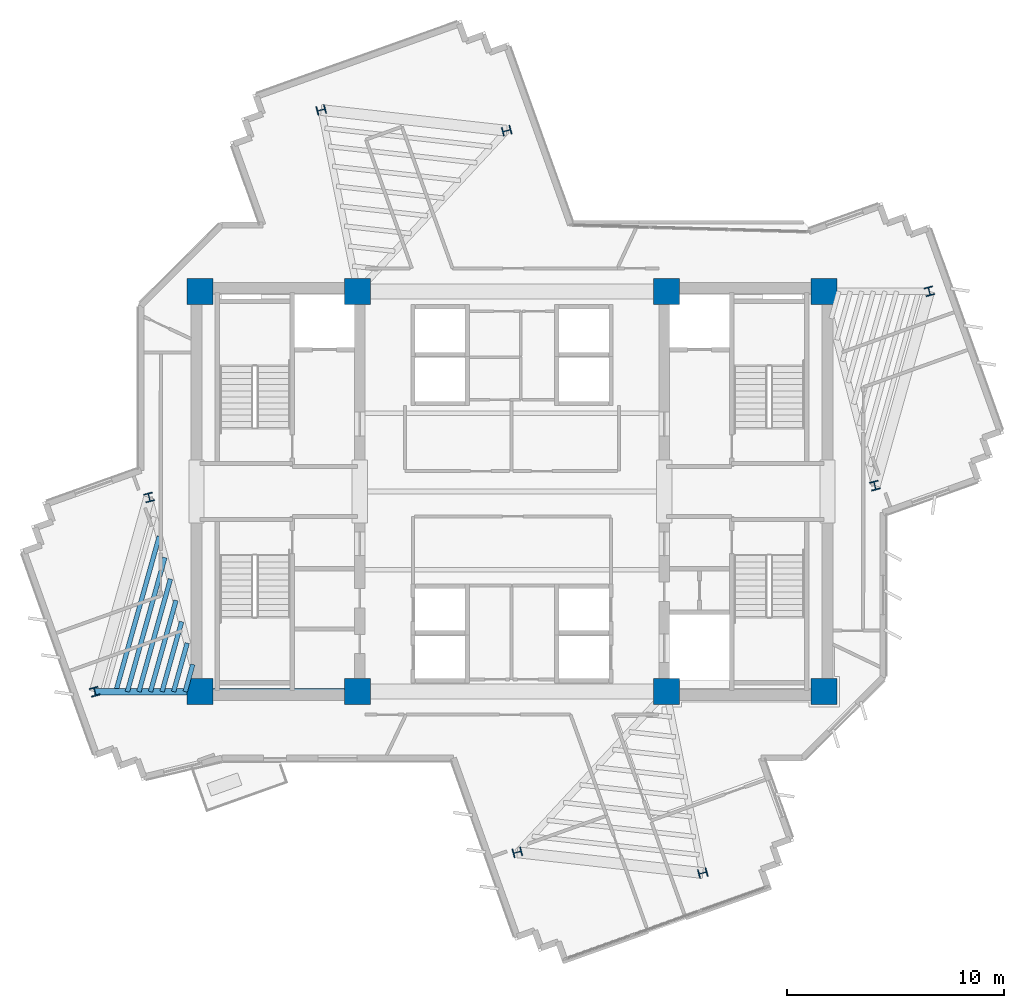
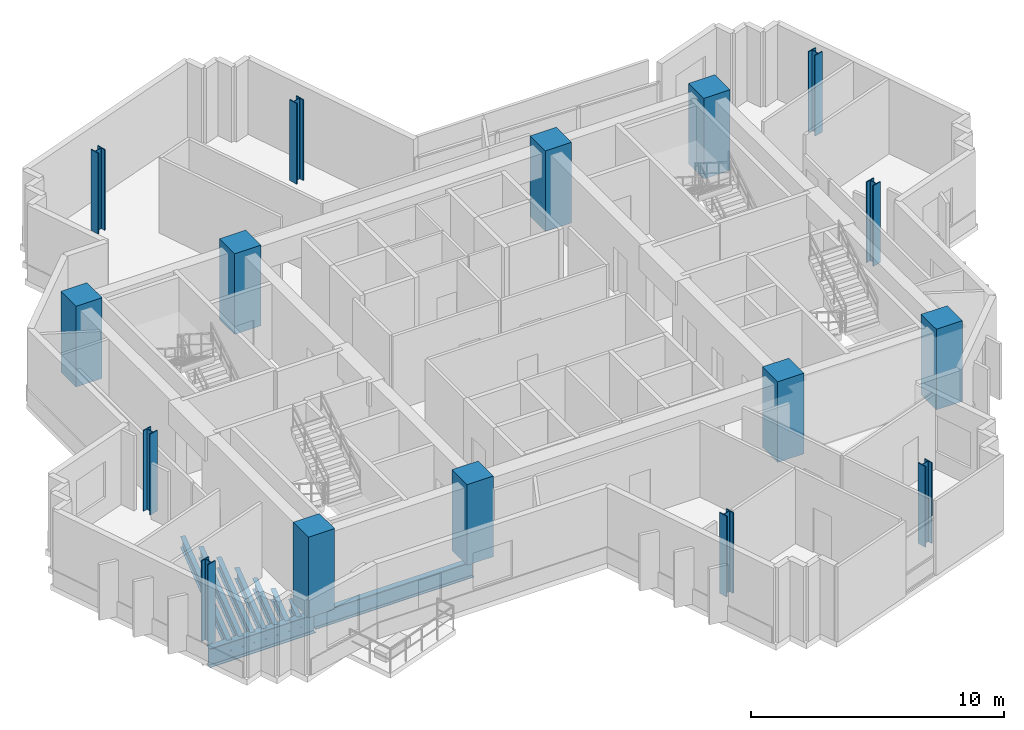
# One storey, part 1 of 13: 16 columns, 9 beams.
"""IFC4 building model written with IfcOpenShell, lengths in metres."""

from ifc_helpers import new_model, si_unit, direction, frame, origin, origin_2d, place, context, subcontext, project, spatial, rectangle, i_section, extrude, source, transform, mapped, material, material_profile, profile_set, type_object, element, save


model = new_model("IFC4")

# Units and contexts
model_context = context("Model", 3, precision=1e-05, world=origin(), true_north=direction((0.0, 1.0)))
body_context = subcontext(model_context, "Body", "Model", "MODEL_VIEW")
ifc_project = project(units=[si_unit("LENGTHUNIT", "METRE"), si_unit("AREAUNIT", "SQUARE_METRE"), si_unit("VOLUMEUNIT", "CUBIC_METRE"), si_unit("PLANEANGLEUNIT", "RADIAN"), si_unit("MASSUNIT", "GRAM", prefix="KILO")], contexts=[model_context])

# Site, building, storey
site_placement = place(None, origin())
site = spatial("IfcSite", under=ifc_project, at=site_placement, CompositionType="ELEMENT")
building_placement = place(site_placement, origin())
building = spatial("IfcBuilding", under=site, at=building_placement, Name="Zahravan Cultural Tower", CompositionType="ELEMENT")
storey_placement = place(building_placement, frame((0.0, 0.0, 221.39990234375)))
storey = spatial("IfcBuildingStorey", under=building, at=storey_placement, Name="L52", CompositionType="ELEMENT", Elevation=221.39990234375)

# Columns
ifc_material_1 = material(Name="Concrete C50/60", Category="concrete")
ifc_material_profile_1 = material_profile(ifc_material_1, rectangle(XDim=1.199951171875, YDim=1.199951171875, at=origin_2d()), Name="RC1200X1200")
ifc_profile_set_1 = profile_set([ifc_material_profile_1], Name="Concrete C50/60")
column_type_1 = type_object("IfcColumnType", Name="COL-RC1200", PredefinedType="COLUMN", material=ifc_profile_set_1)
shared_shape_1 = source(origin(), body_context, "Body", "SweptSolid", [
    extrude(rectangle(XDim=1.199951171875, YDim=1.199951171875, at=origin_2d()), origin(), (0.0, 0.0, 1.0), 3.900146484375),
])
for number, where, z_axis, x_axis, name in (
    (1, (21.64990234375, 17.800048828125, 0.0), (0.0, 0.0, 1.0), (1.0, 0.0, 0.0), "L52 Column CC-W1"),
    (2, (28.89990234375, 17.800048828125, 0.0), (0.0, 0.0, 1.0), (1.0, 0.0, 0.0), "L52 Column CC-W2"),
    (3, (21.64990234375, 36.199951171875, 0.0), (0.0, 0.0, 1.0), (1.0, 0.0, 0.0), "L52 Column CC-W3"),
    (4, (28.89990234375, 36.199951171875, 0.0), (0.0, 0.0, 1.0), (1.0, 0.0, 0.0), "L52 Column CC-W4"),
    (5, (43.10009765625, 17.800048828125, 0.0), (0.0, 0.0, 1.0), (1.0, 0.0, 0.0), "L52 Column CC-E1"),
    (6, (50.35009765625, 17.800048828125, 0.0), (0.0, 0.0, 1.0), (1.0, 0.0, 0.0), "L52 Column CC-E2"),
    (7, (43.10009765625, 36.199951171875, 0.0), (0.0, 0.0, 1.0), (1.0, 0.0, 0.0), "L52 Column CC-E3"),
    (8, (50.35009765625, 36.199951171875, 0.0), (0.0, 0.0, 1.0), (1.0, 0.0, 0.0), "L52 Column CC-E4"),
):
    element("IfcColumn", number, at=place(storey_placement, frame(where, z_axis=z_axis, x_axis=x_axis)), inside=storey, type_object=column_type_1, Name=name, PredefinedType="COLUMN", context=body_context, shape_type="MappedRepresentation", body=[
        mapped(shared_shape_1, transform((0.0, 0.0, 0.0), x_axis=(1.0, 0.0, 0.0), y_axis=(0.0, 1.0, 0.0), z_axis=(0.0, 0.0, 1.0), scale=1.0)),
    ])
ifc_material_2 = material(Name="Steel ASTM A992 Grade 50", Category="steel")
ifc_material_profile_2 = material_profile(ifc_material_2, i_section(OverallWidth=0.404052734375, OverallDepth=0.406982421875, WebThickness=0.027099609375, FlangeThickness=0.043701171875, FilletRadius=0.01806640625, at=origin_2d()), Name="W14X233")
ifc_profile_set_2 = profile_set([ifc_material_profile_2], Name="Steel ASTM A992 Grade 50")
column_type_2 = type_object("IfcColumnType", Name="COL-W14X233", PredefinedType="COLUMN", material=ifc_profile_set_2)
shared_shape_2 = source(origin(), body_context, "Body", "SweptSolid", [
    extrude(i_section(OverallWidth=0.404052734375, OverallDepth=0.406982421875, WebThickness=0.027099609375, FlangeThickness=0.043701171875, FilletRadius=0.01806640625, at=origin_2d()), origin(), (0.0, 0.0, 1.0), 3.900146484375),
])
for number, where, z_axis, x_axis, name in (
    (9, (52.684326171875, 27.27099609375, 0.0), (0.0, 0.0, 1.0), (0.966823388604, 0.255445757936, 0.0), "L52 Column Z2C-E1"),
    (10, (55.184814453125, 36.2060546875, 0.0), (0.0, 0.0, 1.0), (0.966823388604, 0.255445757936, 0.0), "L52 Column Z2C-E2"),
    (11, (35.754638671875, 43.587646484375, 0.0), (0.0, 0.0, 1.0), (-0.255445757936, 0.966823388604, 0.0), "L52 Column Z2C-N1"),
    (12, (27.22802734375, 44.541259765625, 0.0), (0.0, 0.0, 1.0), (-0.255445757936, 0.966823388604, 0.0), "L52 Column Z2C-N2"),
    (13, (19.315673828125, 26.72900390625, 0.0), (0.0, 0.0, 1.0), (0.966823388604, 0.255445757936, 0.0), "L52 Column Z2C-W1"),
    (14, (16.815185546875, 17.7939453125, 0.0), (0.0, 0.0, 1.0), (0.966823388604, 0.255445757936, 0.0), "L52 Column Z2C-W2"),
    (15, (36.245361328125, 10.412353515625, 0.0), (0.0, 0.0, 1.0), (-0.255445757936, 0.966823388604, 0.0), "L52 Column Z2C-S1"),
    (16, (44.77197265625, 9.458740234375, 0.0), (0.0, 0.0, 1.0), (-0.255445757936, 0.966823388604, 0.0), "L52 Column Z2C-S2"),
):
    element("IfcColumn", number, at=place(storey_placement, frame(where, z_axis=z_axis, x_axis=x_axis)), inside=storey, type_object=column_type_2, Name=name, PredefinedType="COLUMN", context=body_context, shape_type="MappedRepresentation", body=[
        mapped(shared_shape_2, transform((0.0, 0.0, 0.0), x_axis=(1.0, 0.0, 0.0), y_axis=(0.0, 1.0, 0.0), z_axis=(0.0, 0.0, 1.0), scale=1.0)),
    ])

# Beams
ifc_material_profile_3 = material_profile(ifc_material_2, i_section(OverallWidth=0.26611328125, OverallDepth=0.780029296875, WebThickness=0.0166015625, FlangeThickness=0.030029296875, FilletRadius=0.01904296875, at=origin_2d()), Name="W30X148")
ifc_profile_set_3 = profile_set([ifc_material_profile_3], Name="Steel ASTM A992 Grade 50")
beam_type_1 = type_object("IfcBeamType", Name="BM-G-W30X148", PredefinedType="BEAM", material=ifc_profile_set_3)
shared_shape_3 = source(origin(), body_context, "Body", "SweptSolid", [
    extrude(i_section(OverallWidth=0.26611328125, OverallDepth=0.780029296875, WebThickness=0.0166015625, FlangeThickness=0.030029296875, FilletRadius=0.01904296875, at=origin_2d()), origin(), (0.0, 0.0, 1.0), 7.25),
])
beam_1_placement = place(storey_placement, frame((21.64990234375, 17.800048828125, -0.669921875), z_axis=(1.0, 0.0, 0.0), x_axis=(0.0, 1.0, 0.0)))
element("IfcBeam", 17, at=beam_1_placement, inside=storey, type_object=beam_type_1, Name="L52 Beam BG-L52-01", PredefinedType="BEAM", context=body_context, shape_type="MappedRepresentation", body=[
    mapped(shared_shape_3, transform((0.0, 0.0, 0.0), x_axis=(1.0, 0.0, 0.0), y_axis=(0.0, 1.0, 0.0), z_axis=(0.0, 0.0, 1.0), scale=1.0)),
])
ifc_material_profile_4 = material_profile(ifc_material_2, i_section(OverallWidth=0.304931640625, OverallDepth=0.9189453125, WebThickness=0.017333984375, FlangeThickness=0.02783203125, FilletRadius=0.02392578125, at=origin_2d()), Name="W36X170")
ifc_profile_set_4 = profile_set([ifc_material_profile_4], Name="Steel ASTM A992 Grade 50")
beam_type_2 = type_object("IfcBeamType", Name="BM-G-W36X170", PredefinedType="BEAM", material=ifc_profile_set_4)
shared_shape_4 = source(origin(), body_context, "Body", "SweptSolid", [
    extrude(i_section(OverallWidth=0.304931640625, OverallDepth=0.9189453125, WebThickness=0.017333984375, FlangeThickness=0.02783203125, FilletRadius=0.02392578125, at=origin_2d()), origin(), (0.0, 0.0, 1.0), 4.834716796875),
])
beam_2_placement = place(storey_placement, frame((21.64990234375, 17.800048828125, -0.739501953125), z_axis=(-0.99999920313, -0.001262433979, 0.0), x_axis=(0.001262433979, -0.99999920313, 0.0)))
element("IfcBeam", 18, at=beam_2_placement, inside=storey, type_object=beam_type_2, Name="L52 Beam BG-L52-08", PredefinedType="BEAM", context=body_context, shape_type="MappedRepresentation", body=[
    mapped(shared_shape_4, transform((0.0, 0.0, 0.0), x_axis=(1.0, 0.0, 0.0), y_axis=(0.0, 1.0, 0.0), z_axis=(0.0, 0.0, 1.0), scale=1.0)),
])
ifc_material_profile_5 = material_profile(ifc_material_2, i_section(OverallWidth=0.2099609375, OverallDepth=0.532958984375, WebThickness=0.01025390625, FlangeThickness=0.015625, FilletRadius=0.013916015625, at=origin_2d()), Name="W21X62")
ifc_profile_set_5 = profile_set([ifc_material_profile_5], Name="Steel ASTM A992 Grade 50")
beam_type_3 = type_object("IfcBeamType", Name="BM-J-W21X62", PredefinedType="JOIST", material=ifc_profile_set_5)
shared_shape_5 = source(origin(), body_context, "Body", "SweptSolid", [
    extrude(i_section(OverallWidth=0.2099609375, OverallDepth=0.532958984375, WebThickness=0.01025390625, FlangeThickness=0.015625, FilletRadius=0.013916015625, at=origin_2d()), origin(), (0.0, 0.0, 1.0), 1.299072265625),
])
beam_3_placement = place(storey_placement, frame((21.3232421875, 19.050048828125, -0.54638671875), z_axis=(-0.269504444708, -0.962999145525, 0.0), x_axis=(0.962999145525, -0.269504444708, 0.0)))
element("IfcBeam", 19, at=beam_3_placement, inside=storey, type_object=beam_type_3, Name="L52 Beam BJ-L52-22", PredefinedType="JOIST", context=body_context, shape_type="MappedRepresentation", body=[
    mapped(shared_shape_5, transform((0.0, 0.0, 0.0), x_axis=(1.0, 0.0, 0.0), y_axis=(0.0, 1.0, 0.0), z_axis=(0.0, 0.0, 1.0), scale=1.0)),
])
shared_shape_6 = source(origin(), body_context, "Body", "SweptSolid", [
    extrude(i_section(OverallWidth=0.2099609375, OverallDepth=0.532958984375, WebThickness=0.01025390625, FlangeThickness=0.015625, FilletRadius=0.013916015625, at=origin_2d()), origin(), (0.0, 0.0, 1.0), 2.3193359375),
])
beam_4_placement = place(storey_placement, frame((21.06640625, 20.0322265625, -0.54638671875), z_axis=(-0.269462038626, -0.963011012263, 0.0), x_axis=(0.963011012263, -0.269462038626, 0.0)))
element("IfcBeam", 20, at=beam_4_placement, inside=storey, type_object=beam_type_3, Name="L52 Beam BJ-L52-23", PredefinedType="JOIST", context=body_context, shape_type="MappedRepresentation", body=[
    mapped(shared_shape_6, transform((0.0, 0.0, 0.0), x_axis=(1.0, 0.0, 0.0), y_axis=(0.0, 1.0, 0.0), z_axis=(0.0, 0.0, 1.0), scale=1.0)),
])
shared_shape_7 = source(origin(), body_context, "Body", "SweptSolid", [
    extrude(i_section(OverallWidth=0.2099609375, OverallDepth=0.532958984375, WebThickness=0.01025390625, FlangeThickness=0.015625, FilletRadius=0.013916015625, at=origin_2d()), origin(), (0.0, 0.0, 1.0), 3.340087890625),
])
beam_5_placement = place(storey_placement, frame((20.809814453125, 21.014404296875, -0.54638671875), z_axis=(-0.269562146951, -0.962982995141, 0.0), x_axis=(0.962982995141, -0.269562146951, 0.0)))
element("IfcBeam", 21, at=beam_5_placement, inside=storey, type_object=beam_type_3, Name="L52 Beam BJ-L52-24", PredefinedType="JOIST", context=body_context, shape_type="MappedRepresentation", body=[
    mapped(shared_shape_7, transform((0.0, 0.0, 0.0), x_axis=(1.0, 0.0, 0.0), y_axis=(0.0, 1.0, 0.0), z_axis=(0.0, 0.0, 1.0), scale=1.0)),
])
shared_shape_8 = source(origin(), body_context, "Body", "SweptSolid", [
    extrude(i_section(OverallWidth=0.2099609375, OverallDepth=0.532958984375, WebThickness=0.01025390625, FlangeThickness=0.015625, FilletRadius=0.013916015625, at=origin_2d()), origin(), (0.0, 0.0, 1.0), 4.36083984375),
])
beam_6_placement = place(storey_placement, frame((20.552978515625, 21.99658203125, -0.54638671875), z_axis=(-0.269511557673, -0.962997154866, 0.0), x_axis=(0.962997154866, -0.269511557673, 0.0)))
element("IfcBeam", 22, at=beam_6_placement, inside=storey, type_object=beam_type_3, Name="L52 Beam BJ-L52-25", PredefinedType="JOIST", context=body_context, shape_type="MappedRepresentation", body=[
    mapped(shared_shape_8, transform((0.0, 0.0, 0.0), x_axis=(1.0, 0.0, 0.0), y_axis=(0.0, 1.0, 0.0), z_axis=(0.0, 0.0, 1.0), scale=1.0)),
])
shared_shape_9 = source(origin(), body_context, "Body", "SweptSolid", [
    extrude(i_section(OverallWidth=0.2099609375, OverallDepth=0.532958984375, WebThickness=0.01025390625, FlangeThickness=0.015625, FilletRadius=0.013916015625, at=origin_2d()), origin(), (0.0, 0.0, 1.0), 5.3818359375),
])
beam_7_placement = place(storey_placement, frame((20.296142578125, 22.97900390625, -0.54638671875), z_axis=(-0.269510454638, -0.962997463569, 0.0), x_axis=(0.962997463569, -0.269510454638, 0.0)))
element("IfcBeam", 23, at=beam_7_placement, inside=storey, type_object=beam_type_3, Name="L52 Beam BJ-L52-26", PredefinedType="JOIST", context=body_context, shape_type="MappedRepresentation", body=[
    mapped(shared_shape_9, transform((0.0, 0.0, 0.0), x_axis=(1.0, 0.0, 0.0), y_axis=(0.0, 1.0, 0.0), z_axis=(0.0, 0.0, 1.0), scale=1.0)),
])
shared_shape_10 = source(origin(), body_context, "Body", "SweptSolid", [
    extrude(i_section(OverallWidth=0.2099609375, OverallDepth=0.532958984375, WebThickness=0.01025390625, FlangeThickness=0.015625, FilletRadius=0.013916015625, at=origin_2d()), origin(), (0.0, 0.0, 1.0), 6.402099609375),
])
beam_8_placement = place(storey_placement, frame((20.039306640625, 23.961181640625, -0.54638671875), z_axis=(-0.269494133533, -0.963002031146, 0.0), x_axis=(0.963002031146, -0.269494133533, 0.0)))
element("IfcBeam", 24, at=beam_8_placement, inside=storey, type_object=beam_type_3, Name="L52 Beam BJ-L52-27", PredefinedType="JOIST", context=body_context, shape_type="MappedRepresentation", body=[
    mapped(shared_shape_10, transform((0.0, 0.0, 0.0), x_axis=(1.0, 0.0, 0.0), y_axis=(0.0, 1.0, 0.0), z_axis=(0.0, 0.0, 1.0), scale=1.0)),
])
shared_shape_11 = source(origin(), body_context, "Body", "SweptSolid", [
    extrude(i_section(OverallWidth=0.2099609375, OverallDepth=0.532958984375, WebThickness=0.01025390625, FlangeThickness=0.015625, FilletRadius=0.013916015625, at=origin_2d()), origin(), (0.0, 0.0, 1.0), 7.4228515625),
])
beam_9_placement = place(storey_placement, frame((19.78271484375, 24.943359375, -0.54638671875), z_axis=(-0.269504266128, -0.962999195503, 0.0), x_axis=(0.962999195503, -0.269504266128, 0.0)))
element("IfcBeam", 25, at=beam_9_placement, inside=storey, type_object=beam_type_3, Name="L52 Beam BJ-L52-28", PredefinedType="JOIST", context=body_context, shape_type="MappedRepresentation", body=[
    mapped(shared_shape_11, transform((0.0, 0.0, 0.0), x_axis=(1.0, 0.0, 0.0), y_axis=(0.0, 1.0, 0.0), z_axis=(0.0, 0.0, 1.0), scale=1.0)),
])

save(model, "model.ifc")
